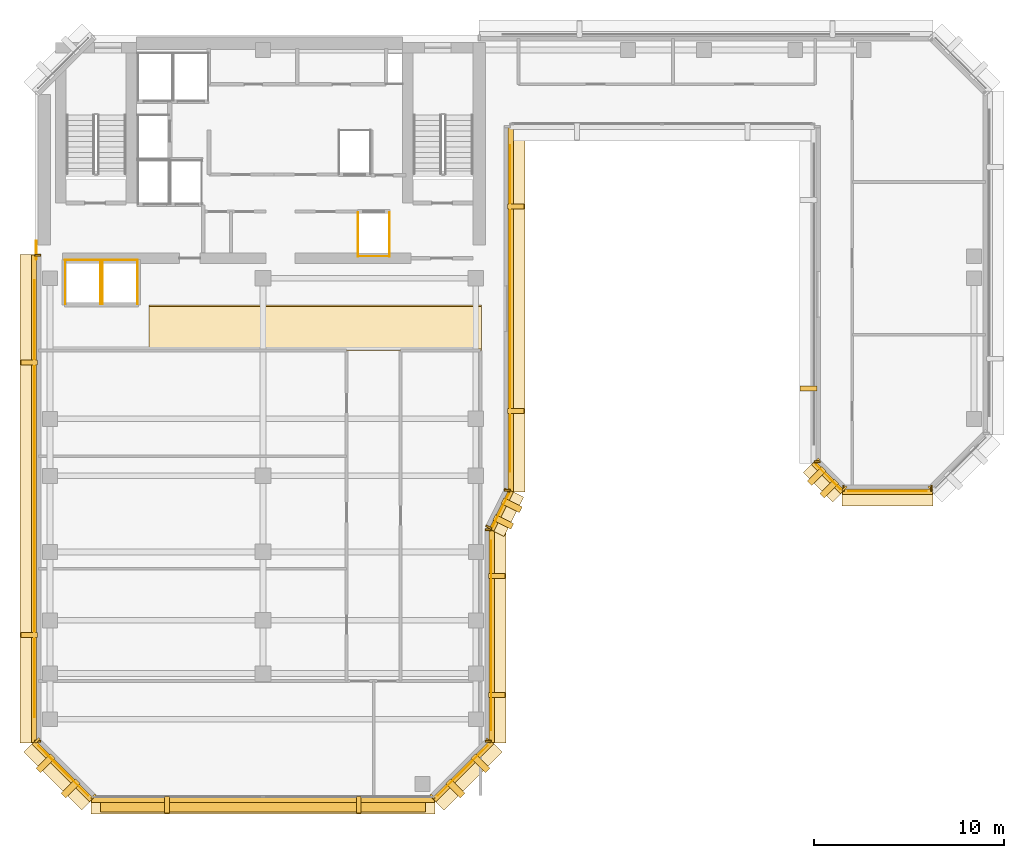
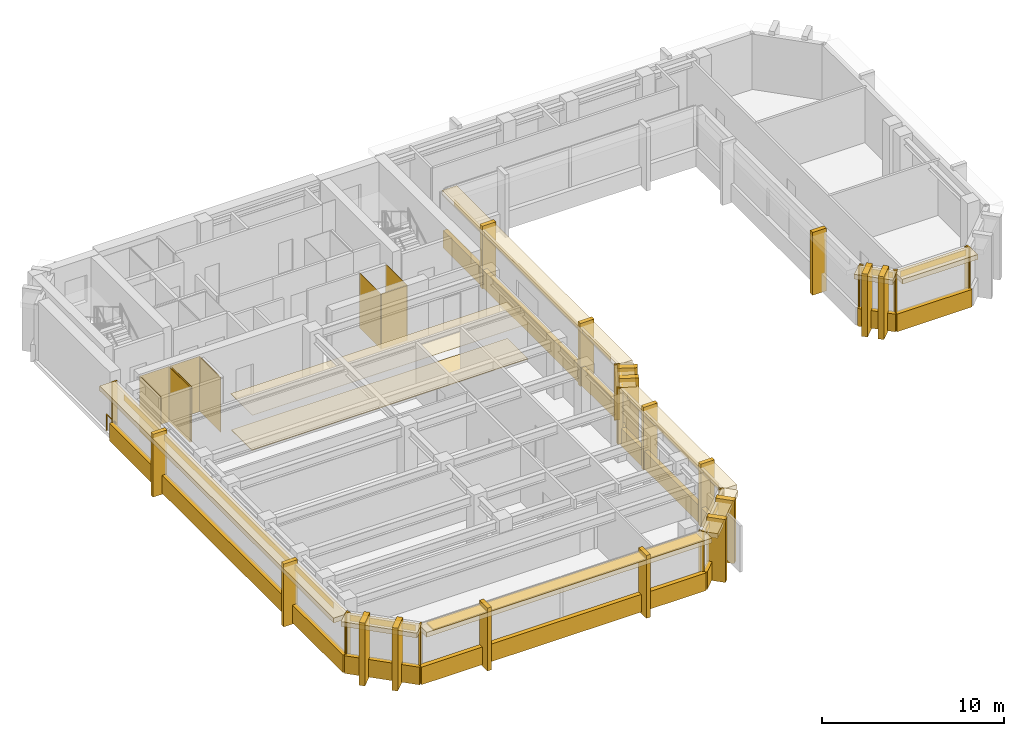
# One storey, part 8 of 11: 71 coverings, 1 railing, 1 shading device.
"""IFC4 building model written with IfcOpenShell, lengths in metres."""

from ifc_helpers import new_model, si_unit, direction, frame, origin, origin_2d, place, context, subcontext, project, spatial, polyline, rectangle, circle, outline, extrude, material, layer, layer_set, type_object, element, save


model = new_model("IFC4")

# Units and contexts
model_context = context("Model", 3, precision=1e-05, world=origin(), true_north=direction((0.0, 1.0)))
body_context = subcontext(model_context, "Body", "Model", "MODEL_VIEW")
ifc_project = project(units=[si_unit("LENGTHUNIT", "METRE"), si_unit("AREAUNIT", "SQUARE_METRE"), si_unit("VOLUMEUNIT", "CUBIC_METRE"), si_unit("PLANEANGLEUNIT", "RADIAN"), si_unit("MASSUNIT", "GRAM", prefix="KILO")], contexts=[model_context])

# Site, building, storey
site_placement = place(None, origin())
site = spatial("IfcSite", under=ifc_project, at=site_placement, CompositionType="ELEMENT")
building_placement = place(site_placement, origin())
building = spatial("IfcBuilding", under=site, at=building_placement, Name="Kefirva Bronze Tower", CompositionType="ELEMENT")
storey_placement = place(building_placement, frame((0.0, 0.0, 223.739990234375)))
storey = spatial("IfcBuildingStorey", under=building, at=storey_placement, Name="L54", CompositionType="ELEMENT", Elevation=223.739990234375)

# Coverings
ifc_material_1 = material(Name="Acoustic mineral tile")
ifc_layer_1 = layer(ifc_material_1, 0.02490234375, Name="Acoustic mineral tile")
ifc_layer_set_1 = layer_set([ifc_layer_1], Name="Acoustic mineral tile")
covering_type_1 = type_object("IfcCoveringType", Name="Acoustic Mineral Suspended Ceiling 25mm", PredefinedType="CEILING", material=ifc_layer_set_1)
covering_1_placement = place(storey_placement, frame((0.0, 0.0, 2.39990234375)))
element("IfcCovering", 1, at=covering_1_placement, inside=storey, type_object=covering_type_1, Name="L54 Corridor Acoustic Ceiling", PredefinedType="CEILING", context=body_context, shape_type="SweptSolid", body=[
    extrude(outline(polyline([(6.0, 29.39990234375), (23.5, 29.39990234375), (23.5, 31.800048828125), (6.0, 31.800048828125), (6.0, 29.39990234375)])), origin(), (0.0, 0.0, 1.0), 0.025146484375),
])
ifc_material_2 = material(Name="Bronze anodised aluminium", Category="aluminium")
ifc_layer_2 = layer(ifc_material_2, 0.02001953125, Name="Bronze anodised aluminium")
ifc_layer_set_2 = layer_set([ifc_layer_2], Name="Bronze anodised aluminium")
covering_type_2 = type_object("IfcCoveringType", Name="Anodised Bronze Spandrel Cladding 20mm", PredefinedType="CLADDING", material=ifc_layer_set_2)
covering_2_placement = place(storey_placement, frame((12.0, 5.760009765625, -0.16015625), z_axis=(0.0, 0.0, 1.0), x_axis=(1.0, 0.0, 0.0)))
element("IfcCovering", 2, at=covering_2_placement, inside=storey, type_object=covering_type_2, Name="L54 Streamline Horizontal Spandrel Band 0", PredefinedType="CLADDING", context=body_context, shape_type="SweptSolid", body=[
    extrude(rectangle(XDim=18.0400390625, YDim=0.280029296875, at=origin_2d()), origin(), (0.0, 0.0, 1.0), 1.179931640625),
])
covering_3_placement = place(storey_placement, frame((22.507080078125, 7.29296875, 3.2900390625), z_axis=(0.0, 0.0, 1.0), x_axis=(0.707106781187, 0.707106781187, 0.0)))
element("IfcCovering", 3, at=covering_3_placement, inside=storey, type_object=covering_type_2, Name="L54 Bronze Spandrel Cladding 1", PredefinedType="CLADDING", context=body_context, shape_type="SweptSolid", body=[
    extrude(rectangle(XDim=3.719482421875, YDim=0.02001953125, at=origin_2d()), origin(), (0.0, 0.0, 1.0), 0.39990234375),
])
for number, where, z_axis, x_axis, name in (
    (4, (20.91162109375, 5.93798828125, 0.0), (0.0, 0.0, 1.0), (0.707106781187, 0.707106781187, 0.0), "L54 Facade Joint Closure Panel 1S"),
    (5, (23.862060546875, 8.88818359375, 0.0), (0.0, 0.0, 1.0), (0.707106781187, 0.707106781187, 0.0), "L54 Facade Joint Closure Panel 1E"),
):
    element("IfcCovering", number, at=place(storey_placement, frame(where, z_axis=z_axis, x_axis=x_axis)), inside=storey, type_object=covering_type_2, Name=name, PredefinedType="CLADDING", context=body_context, shape_type="SweptSolid", body=[
        extrude(rectangle(XDim=0.10009765625, YDim=0.320068359375, at=origin_2d()), origin(), (0.0, 0.0, 1.0), 3.7099609375),
    ])
covering_4_placement = place(storey_placement, frame((22.5283203125, 7.271728515625, -0.16015625), z_axis=(0.0, 0.0, 1.0), x_axis=(0.707106781187, 0.707106781187, 0.0)))
element("IfcCovering", 6, at=covering_4_placement, inside=storey, type_object=covering_type_2, Name="L54 Streamline Horizontal Spandrel Band 1", PredefinedType="CLADDING", context=body_context, shape_type="SweptSolid", body=[
    extrude(rectangle(XDim=4.28271484375, YDim=0.280029296875, at=origin_2d()), origin(), (0.0, 0.0, 1.0), 1.179931640625),
])
covering_5_placement = place(storey_placement, frame((24.010009765625, 14.39990234375, 3.2900390625), z_axis=(0.0, 0.0, 1.0), x_axis=(0.0, 1.0, 0.0)))
element("IfcCovering", 7, at=covering_5_placement, inside=storey, type_object=covering_type_2, Name="L54 Bronze Spandrel Cladding 2", PredefinedType="CLADDING", context=body_context, shape_type="SweptSolid", body=[
    extrude(rectangle(XDim=9.98095703125, YDim=0.02001953125, at=origin_2d()), origin(), (0.0, 0.0, 1.0), 0.39990234375),
])
for number, where, z_axis, x_axis, name in (
    (8, (23.840087890625, 8.8349609375, 0.0), (0.0, 0.0, 1.0), (0.0, 1.0, 0.0), "L54 Facade Joint Closure Panel 2S"),
    (9, (23.840087890625, 19.965087890625, 0.0), (0.0, 0.0, 1.0), (0.0, 1.0, 0.0), "L54 Facade Joint Closure Panel 2E"),
):
    element("IfcCovering", number, at=place(storey_placement, frame(where, z_axis=z_axis, x_axis=x_axis)), inside=storey, type_object=covering_type_2, Name=name, PredefinedType="CLADDING", context=body_context, shape_type="SweptSolid", body=[
        extrude(rectangle(XDim=0.10009765625, YDim=0.320068359375, at=origin_2d()), origin(), (0.0, 0.0, 1.0), 3.7099609375),
    ])
covering_6_placement = place(storey_placement, frame((24.0400390625, 14.39990234375, -0.16015625), z_axis=(0.0, 0.0, 1.0), x_axis=(0.0, 1.0, 0.0)))
element("IfcCovering", 10, at=covering_6_placement, inside=storey, type_object=covering_type_2, Name="L54 Streamline Horizontal Spandrel Band 2", PredefinedType="CLADDING", context=body_context, shape_type="SweptSolid", body=[
    extrude(rectangle(XDim=11.239990234375, YDim=0.280029296875, at=origin_2d()), origin(), (0.0, 0.0, 1.0), 1.179931640625),
])
covering_7_placement = place(storey_placement, frame((24.5087890625, 20.99560546875, 3.2900390625), z_axis=(0.0, 0.0, 1.0), x_axis=(0.44721435766, 0.89442680992, 0.0)))
element("IfcCovering", 11, at=covering_7_placement, inside=storey, type_object=covering_type_2, Name="L54 Bronze Spandrel Cladding 3", PredefinedType="CLADDING", context=body_context, shape_type="SweptSolid", body=[
    extrude(rectangle(XDim=1.91357421875, YDim=0.02001953125, at=origin_2d()), origin(), (0.0, 0.0, 1.0), 0.39990234375),
])
for number, where, z_axis, x_axis, name in (
    (12, (23.87255859375, 20.102783203125, 0.0), (0.0, 0.0, 1.0), (0.44721435766, 0.89442680992, 0.0), "L54 Facade Joint Closure Panel 3S"),
    (13, (24.84130859375, 22.040283203125, 0.0), (0.0, 0.0, 1.0), (0.44721435766, 0.89442680992, 0.0), "L54 Facade Joint Closure Panel 3E"),
):
    element("IfcCovering", number, at=place(storey_placement, frame(where, z_axis=z_axis, x_axis=x_axis)), inside=storey, type_object=covering_type_2, Name=name, PredefinedType="CLADDING", context=body_context, shape_type="SweptSolid", body=[
        extrude(rectangle(XDim=0.10009765625, YDim=0.320068359375, at=origin_2d()), origin(), (0.0, 0.0, 1.0), 3.7099609375),
    ])
covering_8_placement = place(storey_placement, frame((24.535888671875, 20.982177734375, -0.16015625), z_axis=(0.0, 0.0, 1.0), x_axis=(0.44721435766, 0.89442680992, 0.0)))
element("IfcCovering", 14, at=covering_8_placement, inside=storey, type_object=covering_type_2, Name="L54 Streamline Horizontal Spandrel Band 3", PredefinedType="CLADDING", context=body_context, shape_type="SweptSolid", body=[
    extrude(rectangle(XDim=2.276123046875, YDim=0.280029296875, at=origin_2d()), origin(), (0.0, 0.0, 1.0), 1.179931640625),
])
covering_9_placement = place(storey_placement, frame((25.010009765625, 31.60009765625, 3.2900390625), z_axis=(0.0, 0.0, 1.0), x_axis=(0.0, 1.0, 0.0)))
element("IfcCovering", 15, at=covering_9_placement, inside=storey, type_object=covering_type_2, Name="L54 Bronze Spandrel Cladding 4", PredefinedType="CLADDING", context=body_context, shape_type="SweptSolid", body=[
    extrude(rectangle(XDim=17.180908203125, YDim=0.02001953125, at=origin_2d()), origin(), (0.0, 0.0, 1.0), 0.39990234375),
])
covering_10_placement = place(storey_placement, frame((24.840087890625, 22.034912109375, 0.0), z_axis=(0.0, 0.0, 1.0), x_axis=(0.0, 1.0, 0.0)))
element("IfcCovering", 16, at=covering_10_placement, inside=storey, type_object=covering_type_2, Name="L54 Facade Joint Closure Panel 4S", PredefinedType="CLADDING", context=body_context, shape_type="SweptSolid", body=[
    extrude(rectangle(XDim=0.10009765625, YDim=0.320068359375, at=origin_2d()), origin(), (0.0, 0.0, 1.0), 3.7099609375),
])
covering_11_placement = place(storey_placement, frame((25.0400390625, 31.60009765625, -0.16015625), z_axis=(0.0, 0.0, 1.0), x_axis=(0.0, 1.0, 0.0)))
element("IfcCovering", 17, at=covering_11_placement, inside=storey, type_object=covering_type_2, Name="L54 Streamline Horizontal Spandrel Band 5", PredefinedType="CLADDING", context=body_context, shape_type="SweptSolid", body=[
    extrude(rectangle(XDim=19.239990234375, YDim=0.280029296875, at=origin_2d()), origin(), (0.0, 0.0, 1.0), 1.179931640625),
])
covering_12_placement = place(storey_placement, frame((41.159912109375, 23.534912109375, 0.0), z_axis=(0.0, 0.0, 1.0), x_axis=(0.0, -1.0, 0.0)))
element("IfcCovering", 18, at=covering_12_placement, inside=storey, type_object=covering_type_2, Name="L54 Facade Joint Closure Panel 5E", PredefinedType="CLADDING", context=body_context, shape_type="SweptSolid", body=[
    extrude(rectangle(XDim=0.10009765625, YDim=0.320068359375, at=origin_2d()), origin(), (0.0, 0.0, 1.0), 3.7099609375),
])
covering_13_placement = place(storey_placement, frame((41.742919921875, 22.742919921875, 3.2900390625), z_axis=(0.0, 0.0, 1.0), x_axis=(0.707106781187, -0.707106781187, 0.0)))
element("IfcCovering", 19, at=covering_13_placement, inside=storey, type_object=covering_type_2, Name="L54 Bronze Spandrel Cladding 6", PredefinedType="CLADDING", context=body_context, shape_type="SweptSolid", body=[
    extrude(rectangle(XDim=1.810302734375, YDim=0.02001953125, at=origin_2d()), origin(), (0.0, 0.0, 1.0), 0.39990234375),
])
for number, where, z_axis, x_axis, name in (
    (20, (41.137939453125, 23.58837890625, 0.0), (0.0, 0.0, 1.0), (0.707106781187, -0.707106781187, 0.0), "L54 Facade Joint Closure Panel 6S"),
    (21, (42.58837890625, 22.137939453125, 0.0), (0.0, 0.0, 1.0), (0.707106781187, -0.707106781187, 0.0), "L54 Facade Joint Closure Panel 6E"),
):
    element("IfcCovering", number, at=place(storey_placement, frame(where, z_axis=z_axis, x_axis=x_axis)), inside=storey, type_object=covering_type_2, Name=name, PredefinedType="CLADDING", context=body_context, shape_type="SweptSolid", body=[
        extrude(rectangle(XDim=0.10009765625, YDim=0.320068359375, at=origin_2d()), origin(), (0.0, 0.0, 1.0), 3.7099609375),
    ])
covering_14_placement = place(storey_placement, frame((41.7216796875, 22.7216796875, -0.16015625), z_axis=(0.0, 0.0, 1.0), x_axis=(0.707106781187, -0.707106781187, 0.0)))
element("IfcCovering", 22, at=covering_14_placement, inside=storey, type_object=covering_type_2, Name="L54 Streamline Horizontal Spandrel Band 8", PredefinedType="CLADDING", context=body_context, shape_type="SweptSolid", body=[
    extrude(rectangle(XDim=2.161376953125, YDim=0.280029296875, at=origin_2d()), origin(), (0.0, 0.0, 1.0), 1.179931640625),
])
covering_15_placement = place(storey_placement, frame((44.85009765625, 21.989990234375, 3.2900390625), z_axis=(0.0, 0.0, 1.0), x_axis=(1.0, 0.0, 0.0)))
element("IfcCovering", 23, at=covering_15_placement, inside=storey, type_object=covering_type_2, Name="L54 Bronze Spandrel Cladding 7", PredefinedType="CLADDING", context=body_context, shape_type="SweptSolid", body=[
    extrude(rectangle(XDim=4.131103515625, YDim=0.02001953125, at=origin_2d()), origin(), (0.0, 0.0, 1.0), 0.39990234375),
])
for number, where, z_axis, x_axis, name in (
    (24, (42.534912109375, 22.159912109375, 0.0), (0.0, 0.0, 1.0), (1.0, 0.0, 0.0), "L54 Facade Joint Closure Panel 7S"),
    (25, (47.1650390625, 22.159912109375, 0.0), (0.0, 0.0, 1.0), (1.0, 0.0, 0.0), "L54 Facade Joint Closure Panel 7E"),
):
    element("IfcCovering", number, at=place(storey_placement, frame(where, z_axis=z_axis, x_axis=x_axis)), inside=storey, type_object=covering_type_2, Name=name, PredefinedType="CLADDING", context=body_context, shape_type="SweptSolid", body=[
        extrude(rectangle(XDim=0.10009765625, YDim=0.320068359375, at=origin_2d()), origin(), (0.0, 0.0, 1.0), 3.7099609375),
    ])
covering_16_placement = place(storey_placement, frame((44.85009765625, 21.9599609375, -0.16015625), z_axis=(0.0, 0.0, 1.0), x_axis=(1.0, 0.0, 0.0)))
element("IfcCovering", 26, at=covering_16_placement, inside=storey, type_object=covering_type_2, Name="L54 Streamline Horizontal Spandrel Band 9", PredefinedType="CLADDING", context=body_context, shape_type="SweptSolid", body=[
    extrude(rectangle(XDim=4.739990234375, YDim=0.280029296875, at=origin_2d()), origin(), (0.0, 0.0, 1.0), 1.179931640625),
])
covering_17_placement = place(storey_placement, frame((47.11181640625, 22.137939453125, 0.0), z_axis=(0.0, 0.0, 1.0), x_axis=(0.707106781187, 0.707106781187, 0.0)))
element("IfcCovering", 27, at=covering_17_placement, inside=storey, type_object=covering_type_2, Name="L54 Facade Joint Closure Panel 8S", PredefinedType="CLADDING", context=body_context, shape_type="SweptSolid", body=[
    extrude(rectangle(XDim=0.10009765625, YDim=0.320068359375, at=origin_2d()), origin(), (0.0, 0.0, 1.0), 3.7099609375),
])
covering_18_placement = place(storey_placement, frame((-0.010009765625, 21.597412109375, 3.2900390625), z_axis=(0.0, 0.0, 1.0), x_axis=(0.0, -1.0, 0.0)))
element("IfcCovering", 28, at=covering_18_placement, inside=storey, type_object=covering_type_2, Name="L54 Bronze Spandrel Cladding 13", PredefinedType="CLADDING", context=body_context, shape_type="SweptSolid", body=[
    extrude(rectangle(XDim=22.986083984375, YDim=0.02001953125, at=origin_2d()), origin(), (0.0, 0.0, 1.0), 0.39990234375),
])
for number, where, z_axis, x_axis, name in (
    (29, (0.159912109375, 34.4150390625, 0.0), (0.0, 0.0, 1.0), (0.0, -1.0, 0.0), "L54 Facade Joint Closure Panel 13S"),
    (30, (0.159912109375, 8.8349609375, 0.0), (0.0, 0.0, 1.0), (0.0, -1.0, 0.0), "L54 Facade Joint Closure Panel 13E"),
):
    element("IfcCovering", number, at=place(storey_placement, frame(where, z_axis=z_axis, x_axis=x_axis)), inside=storey, type_object=covering_type_2, Name=name, PredefinedType="CLADDING", context=body_context, shape_type="SweptSolid", body=[
        extrude(rectangle(XDim=0.10009765625, YDim=0.320068359375, at=origin_2d()), origin(), (0.0, 0.0, 1.0), 3.7099609375),
    ])
covering_19_placement = place(storey_placement, frame((-0.0400390625, 21.597412109375, -0.16015625), z_axis=(0.0, 0.0, 1.0), x_axis=(0.0, -1.0, 0.0)))
element("IfcCovering", 31, at=covering_19_placement, inside=storey, type_object=covering_type_2, Name="L54 Streamline Horizontal Spandrel Band 15", PredefinedType="CLADDING", context=body_context, shape_type="SweptSolid", body=[
    extrude(rectangle(XDim=25.635009765625, YDim=0.280029296875, at=origin_2d()), origin(), (0.0, 0.0, 1.0), 1.179931640625),
])
covering_20_placement = place(storey_placement, frame((1.492919921875, 7.29296875, 3.2900390625), z_axis=(0.0, 0.0, 1.0), x_axis=(0.707106781187, -0.707106781187, 0.0)))
element("IfcCovering", 32, at=covering_20_placement, inside=storey, type_object=covering_type_2, Name="L54 Bronze Spandrel Cladding 14", PredefinedType="CLADDING", context=body_context, shape_type="SweptSolid", body=[
    extrude(rectangle(XDim=3.719482421875, YDim=0.02001953125, at=origin_2d()), origin(), (0.0, 0.0, 1.0), 0.39990234375),
])
for number, where, z_axis, x_axis, name in (
    (33, (0.137939453125, 8.88818359375, 0.0), (0.0, 0.0, 1.0), (0.707106781187, -0.707106781187, 0.0), "L54 Facade Joint Closure Panel 14S"),
    (34, (3.08837890625, 5.93798828125, 0.0), (0.0, 0.0, 1.0), (0.707106781187, -0.707106781187, 0.0), "L54 Facade Joint Closure Panel 14E"),
):
    element("IfcCovering", number, at=place(storey_placement, frame(where, z_axis=z_axis, x_axis=x_axis)), inside=storey, type_object=covering_type_2, Name=name, PredefinedType="CLADDING", context=body_context, shape_type="SweptSolid", body=[
        extrude(rectangle(XDim=0.10009765625, YDim=0.320068359375, at=origin_2d()), origin(), (0.0, 0.0, 1.0), 3.7099609375),
    ])
covering_21_placement = place(storey_placement, frame((1.4716796875, 7.271728515625, -0.16015625), z_axis=(0.0, 0.0, 1.0), x_axis=(0.707106781187, -0.707106781187, 0.0)))
element("IfcCovering", 35, at=covering_21_placement, inside=storey, type_object=covering_type_2, Name="L54 Streamline Horizontal Spandrel Band 16", PredefinedType="CLADDING", context=body_context, shape_type="SweptSolid", body=[
    extrude(rectangle(XDim=4.28271484375, YDim=0.280029296875, at=origin_2d()), origin(), (0.0, 0.0, 1.0), 1.179931640625),
])
covering_22_placement = place(storey_placement, origin())
element("IfcCovering", 36, at=covering_22_placement, inside=storey, type_object=covering_type_2, Name="L54 Lift OB1 Hoistway Liner N", PredefinedType="CLADDING", context=body_context, shape_type="SweptSolid", body=[
    extrude(outline(polyline([(1.580078125, 34.139892578125), (3.469970703125, 34.139892578125), (3.469970703125, 34.159912109375), (1.580078125, 34.159912109375), (1.580078125, 34.139892578125)])), origin(), (0.0, 0.0, 1.0), 3.7099609375),
])
covering_23_placement = place(storey_placement, origin())
element("IfcCovering", 37, at=covering_23_placement, inside=storey, type_object=covering_type_2, Name="L54 Lift OB1 Hoistway Liner W", PredefinedType="CLADDING", context=body_context, shape_type="SweptSolid", body=[
    extrude(outline(polyline([(1.590087890625, 31.830078125), (1.610107421875, 31.830078125), (1.610107421875, 34.169921875), (1.590087890625, 34.169921875), (1.590087890625, 31.830078125)])), origin(), (0.0, 0.0, 1.0), 3.7099609375),
])
covering_24_placement = place(storey_placement, origin())
element("IfcCovering", 38, at=covering_24_placement, inside=storey, type_object=covering_type_2, Name="L54 Lift OB1 Hoistway Liner E", PredefinedType="CLADDING", context=body_context, shape_type="SweptSolid", body=[
    extrude(outline(polyline([(3.43994140625, 31.830078125), (3.4599609375, 31.830078125), (3.4599609375, 34.169921875), (3.43994140625, 34.169921875), (3.43994140625, 31.830078125)])), origin(), (0.0, 0.0, 1.0), 3.7099609375),
])
covering_25_placement = place(storey_placement, origin())
element("IfcCovering", 39, at=covering_25_placement, inside=storey, type_object=covering_type_2, Name="L54 Lift OB2 Hoistway Liner N", PredefinedType="CLADDING", context=body_context, shape_type="SweptSolid", body=[
    extrude(outline(polyline([(3.530029296875, 34.139892578125), (5.419921875, 34.139892578125), (5.419921875, 34.159912109375), (3.530029296875, 34.159912109375), (3.530029296875, 34.139892578125)])), origin(), (0.0, 0.0, 1.0), 3.7099609375),
])
covering_26_placement = place(storey_placement, origin())
element("IfcCovering", 40, at=covering_26_placement, inside=storey, type_object=covering_type_2, Name="L54 Lift OB2 Hoistway Liner W", PredefinedType="CLADDING", context=body_context, shape_type="SweptSolid", body=[
    extrude(outline(polyline([(3.5400390625, 31.830078125), (3.56005859375, 31.830078125), (3.56005859375, 34.169921875), (3.5400390625, 34.169921875), (3.5400390625, 31.830078125)])), origin(), (0.0, 0.0, 1.0), 3.7099609375),
])
covering_27_placement = place(storey_placement, origin())
element("IfcCovering", 41, at=covering_27_placement, inside=storey, type_object=covering_type_2, Name="L54 Lift OB2 Hoistway Liner E", PredefinedType="CLADDING", context=body_context, shape_type="SweptSolid", body=[
    extrude(outline(polyline([(5.389892578125, 31.830078125), (5.409912109375, 31.830078125), (5.409912109375, 34.169921875), (5.389892578125, 34.169921875), (5.389892578125, 31.830078125)])), origin(), (0.0, 0.0, 1.0), 3.7099609375),
])
covering_28_placement = place(storey_placement, origin())
element("IfcCovering", 42, at=covering_28_placement, inside=storey, type_object=covering_type_2, Name="L54 Lift HP1 Hoistway Liner S", PredefinedType="CLADDING", context=body_context, shape_type="SweptSolid", body=[
    extrude(outline(polyline([(16.97998046875, 34.340087890625), (18.669921875, 34.340087890625), (18.669921875, 34.360107421875), (16.97998046875, 34.360107421875), (16.97998046875, 34.340087890625)])), origin(), (0.0, 0.0, 1.0), 3.7099609375),
])
covering_29_placement = place(storey_placement, origin())
element("IfcCovering", 43, at=covering_29_placement, inside=storey, type_object=covering_type_2, Name="L54 Lift HP1 Hoistway Liner W", PredefinedType="CLADDING", context=body_context, shape_type="SweptSolid", body=[
    extrude(outline(polyline([(16.989990234375, 34.330078125), (17.010009765625, 34.330078125), (17.010009765625, 36.669921875), (16.989990234375, 36.669921875), (16.989990234375, 34.330078125)])), origin(), (0.0, 0.0, 1.0), 3.7099609375),
])
covering_30_placement = place(storey_placement, origin())
element("IfcCovering", 44, at=covering_30_placement, inside=storey, type_object=covering_type_2, Name="L54 Lift HP1 Hoistway Liner E", PredefinedType="CLADDING", context=body_context, shape_type="SweptSolid", body=[
    extrude(outline(polyline([(18.639892578125, 34.330078125), (18.659912109375, 34.330078125), (18.659912109375, 36.669921875), (18.639892578125, 36.669921875), (18.639892578125, 34.330078125)])), origin(), (0.0, 0.0, 1.0), 3.7099609375),
])

# Shading device
ifc_layer_3 = layer(ifc_material_2, 0.090087890625, Name="Bronze anodised aluminium")
ifc_layer_set_3 = layer_set([ifc_layer_3], Name="Bronze anodised aluminium")
shading_device_type = type_object("IfcShadingDeviceType", Name="Horizontal Bronze Sunshade Band 750mm", PredefinedType="JALOUSIE", material=ifc_layer_set_3)
shading_device_placement = place(storey_placement, frame((12.0, 5.5048828125, 3.60498046875), z_axis=(0.0, 0.0, 1.0), x_axis=(1.0, 0.0, 0.0)))
element("IfcShadingDevice", 45, at=shading_device_placement, inside=storey, type_object=shading_device_type, Name="L54 Horizontal Bronze Sunshade Band 0", PredefinedType="JALOUSIE", context=body_context, shape_type="SweptSolid", body=[
    extrude(rectangle(XDim=17.090087890625, YDim=0.75, at=origin_2d()), origin(), (0.0, 0.0, 1.0), 0.090087890625),
])

# Railing
ifc_material_3 = material(Name="Stainless steel 316", Category="steel")
railing_type = type_object("IfcRailingType", Name="Interior Stair Guardrail 1100mm", PredefinedType="GUARDRAIL", material=ifc_material_3)
railing_placement = place(storey_placement, frame((0.080078125, 34.199951171875, 0.0)))
element("IfcRailing", 46, at=railing_placement, inside=storey, type_object=railing_type, Name="L54 West Core Junction Guardrail", PredefinedType="GUARDRAIL", context=body_context, shape_type="SweptSolid", body=[
    extrude(circle(Radius=0.02392578125, at=origin_2d()), frame((0.0, 0.0, 1.076171875), z_axis=(0.0, 1.0, 0.0), x_axis=(-1.0, 0.0, 0.0)), (0.0, 0.0, 1.0), 0.949951171875),
    extrude(circle(Radius=0.02099609375, at=origin_2d()), origin(), (0.0, 0.0, 1.0), 1.052001953125),
    extrude(circle(Radius=0.02099609375, at=origin_2d()), frame((0.0, 0.949951171875, 0.0)), (0.0, 0.0, 1.0), 1.052001953125),
])

# Coverings
ifc_material_4 = material(Name="Calcium sulphate access tile")
ifc_layer_4 = layer(ifc_material_4, 0.044921875, Name="Calcium sulphate access tile")
ifc_layer_set_4 = layer_set([ifc_layer_4], Name="Calcium sulphate access tile")
covering_type_3 = type_object("IfcCoveringType", Name="Raised Access Office Flooring 45mm", PredefinedType="FLOORING", material=ifc_layer_set_4)
covering_31_placement = place(storey_placement, origin())
element("IfcCovering", 47, at=covering_31_placement, inside=storey, type_object=covering_type_3, Name="L54 Architectural Finish Flooring", PredefinedType="FLOORING", context=body_context, shape_type="SweptSolid", body=[
    extrude(outline(polyline([(6.0, 29.47998046875), (23.5, 29.47998046875), (23.5, 31.719970703125), (6.0, 31.719970703125), (6.0, 29.47998046875)])), origin(), (0.0, 0.0, 1.0), 0.044921875),
])
ifc_layer_5 = layer(ifc_material_2, 0.179931640625, Name="Bronze anodised aluminium")
ifc_layer_set_5 = layer_set([ifc_layer_5], Name="Bronze anodised aluminium")
covering_type_4 = type_object("IfcCoveringType", Name="Streamline Bronze Sunshade Eyebrow Cladding 180mm", PredefinedType="CLADDING", material=ifc_layer_set_5)
covering_32_placement = place(storey_placement, frame((12.0, 5.489990234375, 3.39013671875), z_axis=(0.0, 0.0, 1.0), x_axis=(1.0, 0.0, 0.0)))
element("IfcCovering", 48, at=covering_32_placement, inside=storey, type_object=covering_type_4, Name="L54 Streamline Bronze Sunshade Eyebrow 0", PredefinedType="CLADDING", context=body_context, shape_type="SweptSolid", body=[
    extrude(rectangle(XDim=18.080078125, YDim=0.93994140625, at=origin_2d()), origin(), (0.0, 0.0, 1.0), 0.320068359375),
])
covering_33_placement = place(storey_placement, frame((22.71923828125, 7.080810546875, 3.39013671875), z_axis=(0.0, 0.0, 1.0), x_axis=(0.707106781187, 0.707106781187, 0.0)))
element("IfcCovering", 49, at=covering_33_placement, inside=storey, type_object=covering_type_4, Name="L54 Streamline Bronze Sunshade Eyebrow 1", PredefinedType="CLADDING", context=body_context, shape_type="SweptSolid", body=[
    extrude(rectangle(XDim=4.322509765625, YDim=0.93994140625, at=origin_2d()), origin(), (0.0, 0.0, 1.0), 0.320068359375),
])
covering_34_placement = place(storey_placement, frame((24.31005859375, 14.39990234375, 3.39013671875), z_axis=(0.0, 0.0, 1.0), x_axis=(0.0, 1.0, 0.0)))
element("IfcCovering", 50, at=covering_34_placement, inside=storey, type_object=covering_type_4, Name="L54 Streamline Bronze Sunshade Eyebrow 2", PredefinedType="CLADDING", context=body_context, shape_type="SweptSolid", body=[
    extrude(rectangle(XDim=11.280029296875, YDim=0.93994140625, at=origin_2d()), origin(), (0.0, 0.0, 1.0), 0.320068359375),
])
covering_35_placement = place(storey_placement, frame((24.77734375, 20.861328125, 3.39013671875), z_axis=(0.0, 0.0, 1.0), x_axis=(0.44721435766, 0.89442680992, 0.0)))
element("IfcCovering", 51, at=covering_35_placement, inside=storey, type_object=covering_type_4, Name="L54 Streamline Bronze Sunshade Eyebrow 3", PredefinedType="CLADDING", context=body_context, shape_type="SweptSolid", body=[
    extrude(rectangle(XDim=2.316162109375, YDim=0.93994140625, at=origin_2d()), origin(), (0.0, 0.0, 1.0), 0.320068359375),
])
covering_36_placement = place(storey_placement, frame((25.31005859375, 31.60009765625, 3.39013671875), z_axis=(0.0, 0.0, 1.0), x_axis=(0.0, 1.0, 0.0)))
element("IfcCovering", 52, at=covering_36_placement, inside=storey, type_object=covering_type_4, Name="L54 Streamline Bronze Sunshade Eyebrow 5", PredefinedType="CLADDING", context=body_context, shape_type="SweptSolid", body=[
    extrude(rectangle(XDim=19.280029296875, YDim=0.93994140625, at=origin_2d()), origin(), (0.0, 0.0, 1.0), 0.320068359375),
])
covering_37_placement = place(storey_placement, frame((41.53076171875, 22.53076171875, 3.39013671875), z_axis=(0.0, 0.0, 1.0), x_axis=(0.707106781187, -0.707106781187, 0.0)))
element("IfcCovering", 53, at=covering_37_placement, inside=storey, type_object=covering_type_4, Name="L54 Streamline Bronze Sunshade Eyebrow 8", PredefinedType="CLADDING", context=body_context, shape_type="SweptSolid", body=[
    extrude(rectangle(XDim=2.201416015625, YDim=0.93994140625, at=origin_2d()), origin(), (0.0, 0.0, 1.0), 0.320068359375),
])
covering_38_placement = place(storey_placement, frame((44.85009765625, 21.68994140625, 3.39013671875), z_axis=(0.0, 0.0, 1.0), x_axis=(1.0, 0.0, 0.0)))
element("IfcCovering", 54, at=covering_38_placement, inside=storey, type_object=covering_type_4, Name="L54 Streamline Bronze Sunshade Eyebrow 9", PredefinedType="CLADDING", context=body_context, shape_type="SweptSolid", body=[
    extrude(rectangle(XDim=4.780029296875, YDim=0.93994140625, at=origin_2d()), origin(), (0.0, 0.0, 1.0), 0.320068359375),
])
covering_39_placement = place(storey_placement, frame((-0.31005859375, 21.597412109375, 3.39013671875), z_axis=(0.0, 0.0, 1.0), x_axis=(0.0, -1.0, 0.0)))
element("IfcCovering", 55, at=covering_39_placement, inside=storey, type_object=covering_type_4, Name="L54 Streamline Bronze Sunshade Eyebrow 15", PredefinedType="CLADDING", context=body_context, shape_type="SweptSolid", body=[
    extrude(rectangle(XDim=25.675048828125, YDim=0.93994140625, at=origin_2d()), origin(), (0.0, 0.0, 1.0), 0.320068359375),
])
covering_40_placement = place(storey_placement, frame((1.28076171875, 7.080810546875, 3.39013671875), z_axis=(0.0, 0.0, 1.0), x_axis=(0.707106781187, -0.707106781187, 0.0)))
element("IfcCovering", 56, at=covering_40_placement, inside=storey, type_object=covering_type_4, Name="L54 Streamline Bronze Sunshade Eyebrow 16", PredefinedType="CLADDING", context=body_context, shape_type="SweptSolid", body=[
    extrude(rectangle(XDim=4.322509765625, YDim=0.93994140625, at=origin_2d()), origin(), (0.0, 0.0, 1.0), 0.320068359375),
])
ifc_layer_6 = layer(ifc_material_2, 0.260009765625, Name="Bronze anodised aluminium")
ifc_layer_set_6 = layer_set([ifc_layer_6], Name="Bronze anodised aluminium")
covering_type_5 = type_object("IfcCoveringType", Name="Unbroken Bronze Buttress Fin Cladding 260mm", PredefinedType="CLADDING", material=ifc_layer_set_6)
for number, where, z_axis, x_axis, name in (
    (57, (6.9599609375, 5.5, -0.25), (0.0, 0.0, 1.0), (1.0, 0.0, 0.0), "L54 Unbroken Vertical Bronze Rib Fin 1"),
    (58, (17.0400390625, 5.5, -0.25), (0.0, 0.0, 1.0), (1.0, 0.0, 0.0), "L54 Unbroken Vertical Bronze Rib Fin 2"),
):
    element("IfcCovering", number, at=place(storey_placement, frame(where, z_axis=z_axis, x_axis=x_axis)), inside=storey, type_object=covering_type_5, Name=name, PredefinedType="CLADDING", context=body_context, shape_type="SweptSolid", body=[
        extrude(rectangle(XDim=0.260009765625, YDim=0.8798828125, at=origin_2d()), origin(), (0.0, 0.0, 1.0), 4.2099609375),
    ])
for number, where, z_axis, x_axis, name in (
    (59, (22.122802734375, 6.357177734375, -0.25), (0.0, 0.0, 1.0), (0.707106781187, 0.707106781187, 0.0), "L54 Chamfered Corner Buttress Fin Cladding 3"),
    (60, (23.44287109375, 7.67724609375, -0.25), (0.0, 0.0, 1.0), (0.707106781187, 0.707106781187, 0.0), "L54 Chamfered Corner Buttress Fin Cladding 4"),
):
    element("IfcCovering", number, at=place(storey_placement, frame(where, z_axis=z_axis, x_axis=x_axis)), inside=storey, type_object=covering_type_5, Name=name, PredefinedType="CLADDING", context=body_context, shape_type="SweptSolid", body=[
        extrude(rectangle(XDim=0.340087890625, YDim=1.080078125, at=origin_2d()), origin(), (0.0, 0.0, 1.0), 4.2099609375),
    ])
for number, where, z_axis, x_axis, name in (
    (61, (24.300048828125, 11.263916015625, -0.25), (0.0, 0.0, 1.0), (0.0, 1.0, 0.0), "L54 Unbroken Vertical Bronze Rib Fin 5"),
    (62, (24.300048828125, 17.535888671875, -0.25), (0.0, 0.0, 1.0), (0.0, 1.0, 0.0), "L54 Unbroken Vertical Bronze Rib Fin 6"),
):
    element("IfcCovering", number, at=place(storey_placement, frame(where, z_axis=z_axis, x_axis=x_axis)), inside=storey, type_object=covering_type_5, Name=name, PredefinedType="CLADDING", context=body_context, shape_type="SweptSolid", body=[
        extrude(rectangle(XDim=0.260009765625, YDim=0.8798828125, at=origin_2d()), origin(), (0.0, 0.0, 1.0), 4.2099609375),
    ])
for number, where, z_axis, x_axis, name in (
    (63, (24.6376953125, 20.381103515625, -0.25), (0.0, 0.0, 1.0), (0.44721435766, 0.89442680992, 0.0), "L54 Chamfered Corner Buttress Fin Cladding 7"),
    (64, (25.077880859375, 21.260986328125, -0.25), (0.0, 0.0, 1.0), (0.44721435766, 0.89442680992, 0.0), "L54 Chamfered Corner Buttress Fin Cladding 8"),
):
    element("IfcCovering", number, at=place(storey_placement, frame(where, z_axis=z_axis, x_axis=x_axis)), inside=storey, type_object=covering_type_5, Name=name, PredefinedType="CLADDING", context=body_context, shape_type="SweptSolid", body=[
        extrude(rectangle(XDim=0.340087890625, YDim=1.080078125, at=origin_2d()), origin(), (0.0, 0.0, 1.0), 4.2099609375),
    ])
for number, where, z_axis, x_axis, name in (
    (65, (25.300048828125, 26.22412109375, -0.25), (0.0, 0.0, 1.0), (0.0, 1.0, 0.0), "L54 Unbroken Vertical Bronze Rib Fin 9"),
    (66, (25.300048828125, 36.97607421875, -0.25), (0.0, 0.0, 1.0), (0.0, 1.0, 0.0), "L54 Unbroken Vertical Bronze Rib Fin 10"),
    (67, (40.699951171875, 27.39404296875, -0.25), (0.0, 0.0, 1.0), (0.0, -1.0, 0.0), "L54 Unbroken Vertical Bronze Rib Fin 14"),
):
    element("IfcCovering", number, at=place(storey_placement, frame(where, z_axis=z_axis, x_axis=x_axis)), inside=storey, type_object=covering_type_5, Name=name, PredefinedType="CLADDING", context=body_context, shape_type="SweptSolid", body=[
        extrude(rectangle(XDim=0.260009765625, YDim=0.8798828125, at=origin_2d()), origin(), (0.0, 0.0, 1.0), 4.2099609375),
    ])
for number, where, z_axis, x_axis, name in (
    (68, (41.13720703125, 22.797119140625, -0.25), (0.0, 0.0, 1.0), (0.707106781187, -0.707106781187, 0.0), "L54 Chamfered Corner Buttress Fin Cladding 15"),
    (69, (41.797119140625, 22.13720703125, -0.25), (0.0, 0.0, 1.0), (0.707106781187, -0.707106781187, 0.0), "L54 Chamfered Corner Buttress Fin Cladding 16"),
):
    element("IfcCovering", number, at=place(storey_placement, frame(where, z_axis=z_axis, x_axis=x_axis)), inside=storey, type_object=covering_type_5, Name=name, PredefinedType="CLADDING", context=body_context, shape_type="SweptSolid", body=[
        extrude(rectangle(XDim=0.340087890625, YDim=1.080078125, at=origin_2d()), origin(), (0.0, 0.0, 1.0), 4.2099609375),
    ])
for number, where, z_axis, x_axis, name in (
    (70, (-0.300048828125, 28.76416015625, -0.25), (0.0, 0.0, 1.0), (0.0, -1.0, 0.0), "L54 Unbroken Vertical Bronze Rib Fin 27"),
    (71, (-0.300048828125, 14.430908203125, -0.25), (0.0, 0.0, 1.0), (0.0, -1.0, 0.0), "L54 Unbroken Vertical Bronze Rib Fin 28"),
):
    element("IfcCovering", number, at=place(storey_placement, frame(where, z_axis=z_axis, x_axis=x_axis)), inside=storey, type_object=covering_type_5, Name=name, PredefinedType="CLADDING", context=body_context, shape_type="SweptSolid", body=[
        extrude(rectangle(XDim=0.260009765625, YDim=0.8798828125, at=origin_2d()), origin(), (0.0, 0.0, 1.0), 4.2099609375),
    ])
for number, where, z_axis, x_axis, name in (
    (72, (0.55712890625, 7.67724609375, -0.25), (0.0, 0.0, 1.0), (0.707106781187, -0.707106781187, 0.0), "L54 Chamfered Corner Buttress Fin Cladding 29"),
    (73, (1.877197265625, 6.357177734375, -0.25), (0.0, 0.0, 1.0), (0.707106781187, -0.707106781187, 0.0), "L54 Chamfered Corner Buttress Fin Cladding 30"),
):
    element("IfcCovering", number, at=place(storey_placement, frame(where, z_axis=z_axis, x_axis=x_axis)), inside=storey, type_object=covering_type_5, Name=name, PredefinedType="CLADDING", context=body_context, shape_type="SweptSolid", body=[
        extrude(rectangle(XDim=0.340087890625, YDim=1.080078125, at=origin_2d()), origin(), (0.0, 0.0, 1.0), 4.2099609375),
    ])

save(model, "model.ifc")
